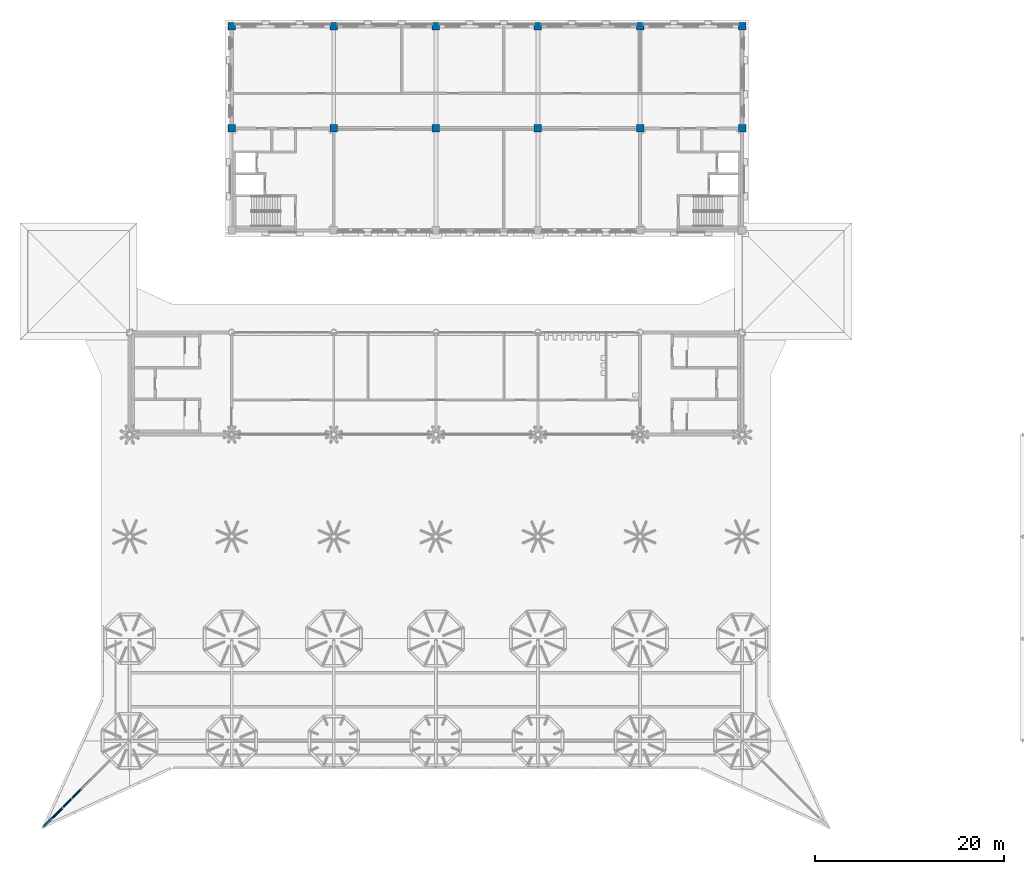
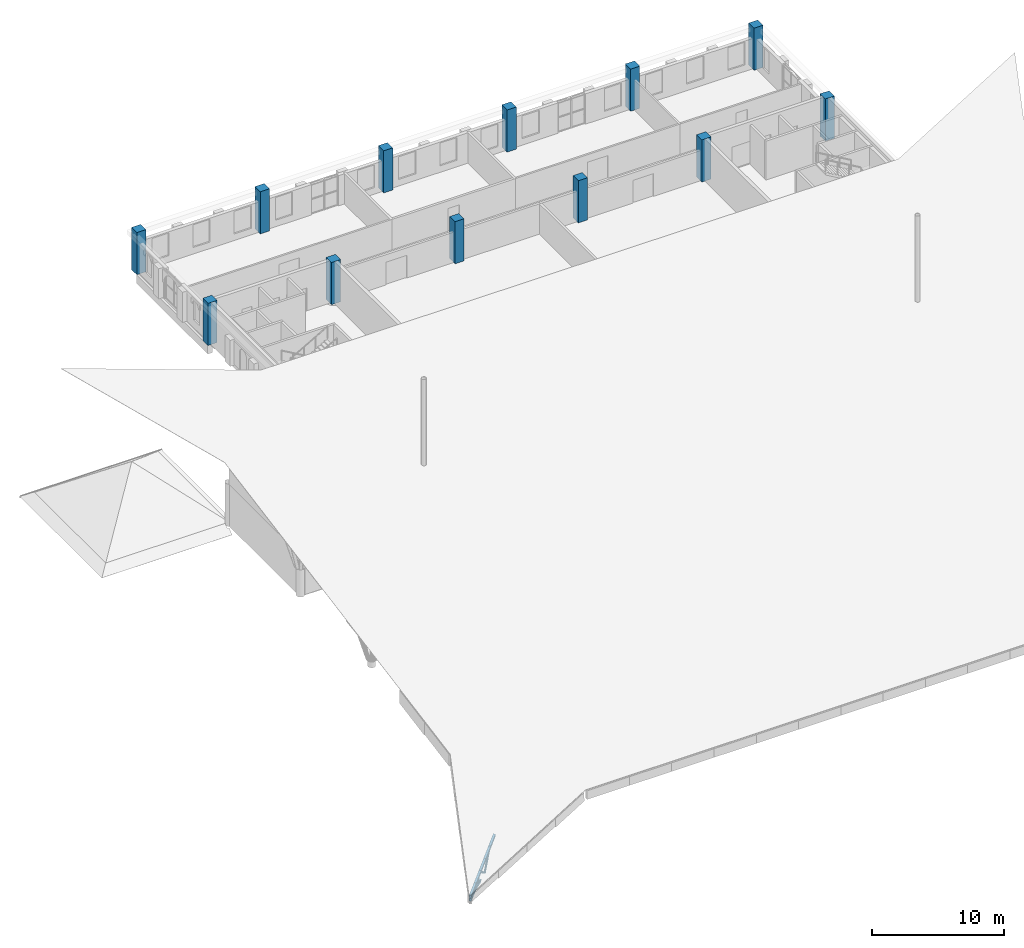
# One storey, part 4 of 56: 12 columns, 10 members.
"""IFC4 building model written with IfcOpenShell, lengths in metres."""

from ifc_helpers import new_model, si_unit, direction, frame, origin, origin_2d, place, context, subcontext, project, spatial, rectangle, hollow_rectangle, hollow_circle, extrude, material, material_profile, profile_set, type_object, element, save


model = new_model("IFC4")

# Units and contexts
model_context = context("Model", 3, precision=1e-05, world=origin(), true_north=direction((0.0, 1.0)))
body_context = subcontext(model_context, "Body", "Model", "MODEL_VIEW")
ifc_project = project(units=[si_unit("LENGTHUNIT", "METRE"), si_unit("AREAUNIT", "SQUARE_METRE"), si_unit("VOLUMEUNIT", "CUBIC_METRE"), si_unit("PLANEANGLEUNIT", "RADIAN"), si_unit("MASSUNIT", "GRAM", prefix="KILO")], contexts=[model_context])

# Site, building, storey
site_placement = place(None, origin())
site = spatial("IfcSite", under=ifc_project, at=site_placement, CompositionType="ELEMENT")
building_placement = place(site_placement, origin())
building = spatial("IfcBuilding", under=site, at=building_placement, Name="Magnolia Steps Interchange", CompositionType="ELEMENT")
storey_placement = place(building_placement, frame((0.0, 0.0, 8.699951171875)))
storey = spatial("IfcBuildingStorey", under=building, at=storey_placement, Name="L02", CompositionType="ELEMENT", Elevation=8.699951171875)

# Columns
ifc_material_1 = material(Name="Concrete C40", Category="concrete")
ifc_material_profile_1 = material_profile(ifc_material_1, rectangle(XDim=0.800048828125, YDim=0.800048828125, at=origin_2d()), Name="RC800x800")
ifc_profile_set_1 = profile_set([ifc_material_profile_1], Name="Concrete C40")
column_type = type_object("IfcColumnType", Name="RC column 800x800", PredefinedType="COLUMN", material=ifc_profile_set_1)
for number, where, z_axis, x_axis, name in (
    (1, (64.0, 107.199951171875, 0.0), (0.0, 0.0, 1.0), (1.0, 0.0, 0.0), "Column OPE-6J L02"),
    (2, (64.0, 118.0, 0.0), (0.0, 0.0, 1.0), (1.0, 0.0, 0.0), "Column OPE-6K L02"),
    (3, (74.800048828125, 107.199951171875, 0.0), (0.0, 0.0, 1.0), (1.0, 0.0, 0.0), "Column OPE-7J L02"),
    (4, (74.800048828125, 118.0, 0.0), (0.0, 0.0, 1.0), (1.0, 0.0, 0.0), "Column OPE-7K L02"),
    (5, (85.60009765625, 107.199951171875, 0.0), (0.0, 0.0, 1.0), (1.0, 0.0, 0.0), "Column OPE-8J L02"),
    (6, (85.60009765625, 118.0, 0.0), (0.0, 0.0, 1.0), (1.0, 0.0, 0.0), "Column OPE-8K L02"),
    (7, (96.39990234375, 107.199951171875, 0.0), (0.0, 0.0, 1.0), (1.0, 0.0, 0.0), "Column OPE-9J L02"),
    (8, (96.39990234375, 118.0, 0.0), (0.0, 0.0, 1.0), (1.0, 0.0, 0.0), "Column OPE-9K L02"),
    (9, (107.199951171875, 107.199951171875, 0.0), (0.0, 0.0, 1.0), (1.0, 0.0, 0.0), "Column OPE-10J L02"),
    (10, (107.199951171875, 118.0, 0.0), (0.0, 0.0, 1.0), (1.0, 0.0, 0.0), "Column OPE-10K L02"),
    (11, (118.0, 107.199951171875, 0.0), (0.0, 0.0, 1.0), (1.0, 0.0, 0.0), "Column OPE-11J L02"),
    (12, (118.0, 118.0, 0.0), (0.0, 0.0, 1.0), (1.0, 0.0, 0.0), "Column OPE-11K L02"),
):
    element("IfcColumn", number, at=place(storey_placement, frame(where, z_axis=z_axis, x_axis=x_axis)), inside=storey, type_object=column_type, Name=name, PredefinedType="COLUMN", context=body_context, shape_type="SweptSolid", body=[
        extrude(rectangle(XDim=0.800048828125, YDim=0.800048828125, at=origin_2d()), origin(), (0.0, 0.0, 1.0), 3.900146484375),
    ])

# Members
ifc_material_2 = material(Name="Steel Q355B", Category="steel")
ifc_material_profile_2 = material_profile(ifc_material_2, hollow_rectangle(XDim=0.199951171875, YDim=0.300048828125, WallThickness=0.011962890625, InnerFilletRadius=0.011962890625, OuterFilletRadius=0.02392578125, at=origin_2d()), Name="RHS300x200x12")
ifc_profile_set_2 = profile_set([ifc_material_profile_2], Name="Steel Q355B")
member_type_1 = type_object("IfcMemberType", Name="Roof truss RHS300x200x12", PredefinedType="USERDEFINED", material=ifc_profile_set_2)
for number, where, z_axis, x_axis, name in (
    (13, (49.08154296875, 38.281494140625, 1.34130859375), (-0.701357324315, -0.701185000648, -0.12820880818), (0.712809864442, -0.689912169433, -0.12618754147), "Spike truss SP-H-SW top chord"),
    (14, (48.087890625, 37.2880859375, 1.15966796875), (-0.701169499182, -0.70134181904, -0.128378293657), (0.712994622167, -0.68972173895, -0.126184751775), "Spike truss SP-H-SW top chord"),
):
    element("IfcMember", number, at=place(storey_placement, frame(where, z_axis=z_axis, x_axis=x_axis)), inside=storey, type_object=member_type_1, Name=name, ObjectType="Roof truss", PredefinedType="USERDEFINED", context=body_context, shape_type="SweptSolid", body=[
        extrude(hollow_rectangle(XDim=0.199951171875, YDim=0.300048828125, WallThickness=0.011962890625, InnerFilletRadius=0.011962890625, OuterFilletRadius=0.02392578125, at=origin_2d()), origin(), (0.0, 0.0, 1.0), 1.416748046875),
    ])
member_1_placement = place(storey_placement, frame((47.094482421875, 36.29443359375, 0.977783203125), z_axis=(-0.701272583716, -0.701272583716, -0.128193317515), x_axis=(0.712893231565, -0.689825978392, -0.126187796256)))
element("IfcMember", 15, at=member_1_placement, inside=storey, type_object=member_type_1, Name="Spike truss SP-H-SW top chord", ObjectType="Roof truss", PredefinedType="USERDEFINED", context=body_context, shape_type="SweptSolid", body=[
    extrude(hollow_rectangle(XDim=0.199951171875, YDim=0.300048828125, WallThickness=0.011962890625, InnerFilletRadius=0.011962890625, OuterFilletRadius=0.02392578125, at=origin_2d()), origin(), (0.0, 0.0, 1.0), 1.4169921875),
])
member_2_placement = place(storey_placement, frame((46.100830078125, 35.30078125, 0.796142578125), z_axis=(-0.701254244059, -0.701254244059, -0.128393809738), x_axis=(0.712911269966, -0.689807939991, -0.126184496197)))
element("IfcMember", 16, at=member_2_placement, inside=storey, type_object=member_type_1, Name="Spike truss SP-H-SW top chord", ObjectType="Roof truss", PredefinedType="USERDEFINED", context=body_context, shape_type="SweptSolid", body=[
    extrude(hollow_rectangle(XDim=0.199951171875, YDim=0.300048828125, WallThickness=0.011962890625, InnerFilletRadius=0.011962890625, OuterFilletRadius=0.02392578125, at=origin_2d()), origin(), (0.0, 0.0, 1.0), 1.41650390625),
])
member_3_placement = place(storey_placement, frame((45.107421875, 34.307373046875, 0.6142578125), z_axis=(-0.701272583716, -0.701272583716, -0.128193317515), x_axis=(0.712893231565, -0.689825978392, -0.126187796256)))
element("IfcMember", 17, at=member_3_placement, inside=storey, type_object=member_type_1, Name="Spike truss SP-H-SW top chord", ObjectType="Roof truss", PredefinedType="USERDEFINED", context=body_context, shape_type="SweptSolid", body=[
    extrude(hollow_rectangle(XDim=0.199951171875, YDim=0.300048828125, WallThickness=0.011962890625, InnerFilletRadius=0.011962890625, OuterFilletRadius=0.02392578125, at=origin_2d()), origin(), (0.0, 0.0, 1.0), 1.4169921875),
])
member_4_placement = place(storey_placement, frame((46.100830078125, 35.30078125, 0.006103515625), z_axis=(-0.699107344867, -0.699107344867, 0.14999280218), x_axis=(0.686863858397, -0.714922707134, -0.130780590506)))
element("IfcMember", 18, at=member_4_placement, inside=storey, type_object=member_type_1, Name="Spike truss SP-H-SW bottom chord", ObjectType="Roof truss", PredefinedType="USERDEFINED", context=body_context, shape_type="SweptSolid", body=[
    extrude(hollow_rectangle(XDim=0.199951171875, YDim=0.300048828125, WallThickness=0.011962890625, InnerFilletRadius=0.011962890625, OuterFilletRadius=0.02392578125, at=origin_2d()), origin(), (0.0, 0.0, 1.0), 1.4208984375),
])
member_5_placement = place(storey_placement, frame((45.107421875, 34.307373046875, 0.21923828125), z_axis=(-0.70576569707, -0.70576569707, -0.061559415838), x_axis=(0.706884843489, -0.695783286403, -0.127277006591)))
element("IfcMember", 19, at=member_5_placement, inside=storey, type_object=member_type_1, Name="Spike truss SP-H-SW bottom chord", ObjectType="Roof truss", PredefinedType="USERDEFINED", context=body_context, shape_type="SweptSolid", body=[
    extrude(hollow_rectangle(XDim=0.199951171875, YDim=0.300048828125, WallThickness=0.011962890625, InnerFilletRadius=0.011962890625, OuterFilletRadius=0.02392578125, at=origin_2d()), origin(), (0.0, 0.0, 1.0), 1.407958984375),
])
ifc_material_3 = material(Name="Steel Q355B", Category="steel")
ifc_material_profile_3 = material_profile(ifc_material_3, hollow_circle(Radius=0.083984375, WallThickness=0.008056640625, at=origin_2d()), Name="CHS168x8")
ifc_profile_set_3 = profile_set([ifc_material_profile_3], Name="Steel Q355B")
member_type_2 = type_object("IfcMemberType", Name="Roof truss diagonal CHS168x8", PredefinedType="USERDEFINED", material=ifc_profile_set_3)
member_6_placement = place(storey_placement, frame((48.087890625, 37.2880859375, 1.15966796875), z_axis=(-0.506809813063, -0.506934366961, -0.697252723894), x_axis=(0.776298970442, -0.620072706483, -0.113444908064)))
element("IfcMember", 20, at=member_6_placement, inside=storey, type_object=member_type_2, Name="Spike truss SP-H-SW diagonal", ObjectType="Roof truss diagonal", PredefinedType="USERDEFINED", context=body_context, shape_type="SweptSolid", body=[
    extrude(hollow_circle(Radius=0.083984375, WallThickness=0.008056640625, at=origin_2d()), origin(), (0.0, 0.0, 1.0), 1.960205078125),
])
member_7_placement = place(storey_placement, frame((47.094482421875, 36.29443359375, -0.20703125), z_axis=(-0.575506190269, -0.575506190269, 0.581020868751), x_axis=(0.62564593396, -0.767372322065, -0.140381211873)))
element("IfcMember", 21, at=member_7_placement, inside=storey, type_object=member_type_2, Name="Spike truss SP-H-SW diagonal", ObjectType="Roof truss diagonal", PredefinedType="USERDEFINED", context=body_context, shape_type="SweptSolid", body=[
    extrude(hollow_circle(Radius=0.083984375, WallThickness=0.008056640625, at=origin_2d()), origin(), (0.0, 0.0, 1.0), 1.7265625),
])
member_8_placement = place(storey_placement, frame((46.100830078125, 35.30078125, 0.006103515625), z_axis=(-0.648916250961, -0.648916250961, 0.397259862655), x_axis=(0.657873022747, -0.740835931473, -0.135518296108)))
element("IfcMember", 22, at=member_8_placement, inside=storey, type_object=member_type_2, Name="Spike truss SP-H-SW diagonal", ObjectType="Roof truss diagonal", PredefinedType="USERDEFINED", context=body_context, shape_type="SweptSolid", body=[
    extrude(hollow_circle(Radius=0.083984375, WallThickness=0.008056640625, at=origin_2d()), origin(), (0.0, 0.0, 1.0), 1.53076171875),
])

save(model, "model.ifc")
